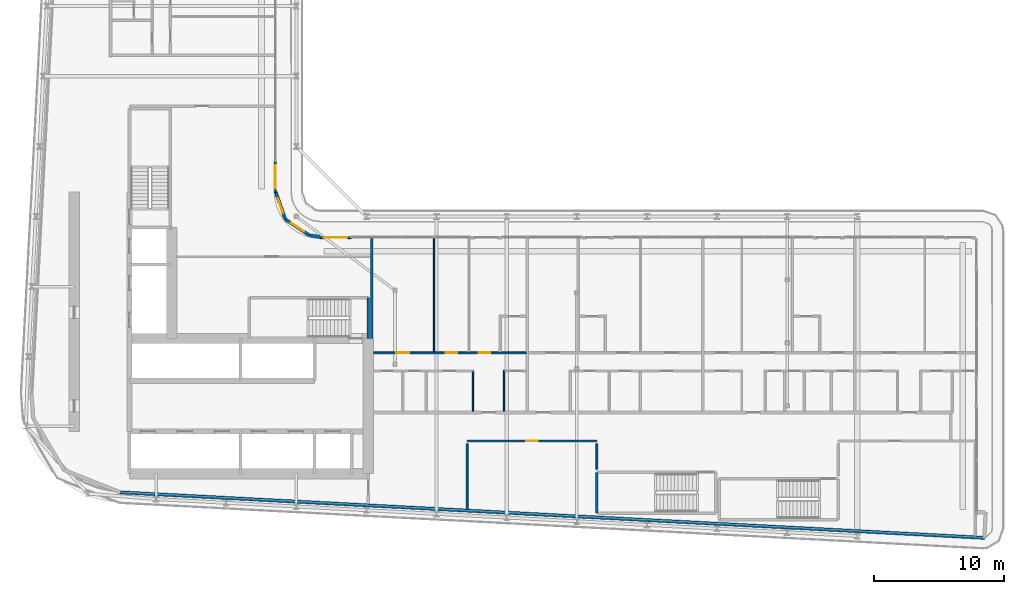
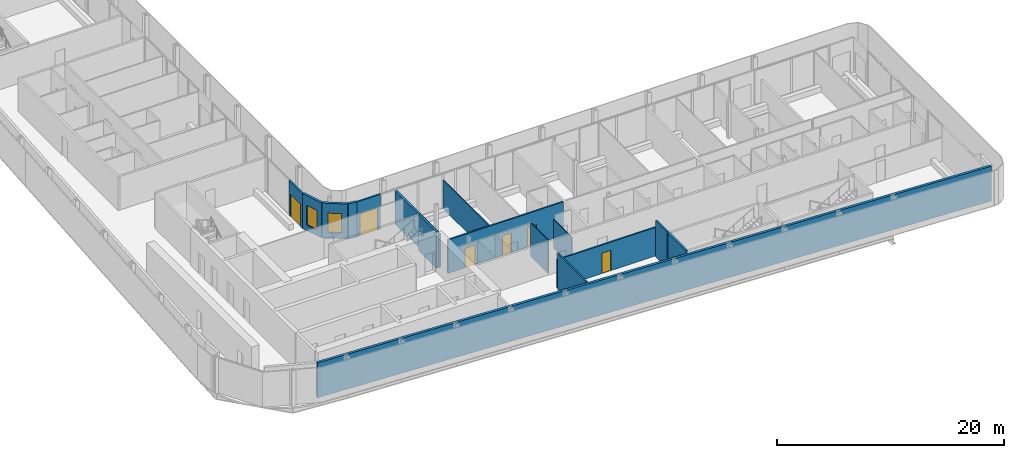
# One storey, part 15 of 28: 16 walls, 6 doors, 2 windows, 8 openings.
"""IFC4 building model written with IfcOpenShell, lengths in metres."""

from ifc_helpers import new_model, si_unit, direction, frame, frame_2d, origin, place, context, subcontext, project, spatial, rectangle, extrude, source, transform, mapped, material, layer, layer_set, type_object, element, fill, save


model = new_model("IFC4")

# Units and contexts
model_context = context("Model", 3, precision=1e-05, world=origin(), true_north=direction((0.0, 1.0)))
body_context = subcontext(model_context, "Body", "Model", "MODEL_VIEW")
ifc_project = project(units=[si_unit("LENGTHUNIT", "METRE"), si_unit("AREAUNIT", "SQUARE_METRE"), si_unit("VOLUMEUNIT", "CUBIC_METRE"), si_unit("PLANEANGLEUNIT", "RADIAN"), si_unit("MASSUNIT", "GRAM", prefix="KILO")], contexts=[model_context])

# Site, building, storey
site_placement = place(None, origin())
site = spatial("IfcSite", under=ifc_project, at=site_placement, CompositionType="ELEMENT")
building_placement = place(site_placement, origin())
building = spatial("IfcBuilding", under=site, at=building_placement, Name="Kheshtan School and Residences Tower", CompositionType="ELEMENT")
storey_placement = place(building_placement, frame((0.0, 0.0, 191.60009765625)))
storey = spatial("IfcBuildingStorey", under=building, at=storey_placement, Name="L45", CompositionType="ELEMENT", Elevation=191.60009765625)

# Wall, opening, window
ifc_material_1 = material(Name="Concrete C40/50 with ceramic cladding and mineral wool insulation", Category="concrete")
ifc_layer_1 = layer(ifc_material_1, 0.25)
ifc_layer_set_1 = layer_set([ifc_layer_1], Name="External wall 250 ceramic clad")
wall_type_1 = type_object("IfcWallType", Name="External wall 250 ceramic clad", PredefinedType="SOLIDWALL", material=ifc_layer_set_1)
wall_1_placement = place(storey_placement, frame((46.01806640625, 47.470947265625, 0.0), z_axis=(0.0, 0.0, 1.0), x_axis=(0.328791208903, -0.944402637093, 0.0)))
wall_1 = element("IfcWall", 1, at=wall_1_placement, inside=storey, type_object=wall_type_1, Name="External wall L45 9", PredefinedType="SOLIDWALL", context=body_context, shape_type="SweptSolid", body=[
    extrude(rectangle(XDim=2.20458984375, YDim=0.25, at=frame_2d((1.102294921875, 0.0))), origin(), (0.0, 0.0, 1.0), 3.75),
])
opening_1_placement = place(wall_1_placement, frame((0.5029296875, 0.0, 0.60009765625)))
opening_1 = element("IfcOpeningElement", 2, at=opening_1_placement, cuts=wall_1, Name="Opening WN-E", PredefinedType="OPENING", context=body_context, shape_type="SweptSolid", body=[
    extrude(rectangle(XDim=1.199951171875, YDim=2.10009765625, at=frame_2d((0.60009765625, 1.050048828125))), frame((0.0, 0.135009765625, 0.0), z_axis=(0.0, -1.0, 0.0), x_axis=(1.0, 0.0, 0.0)), (0.0, 0.0, 1.0), 0.27001953125),
])
ifc_material_2 = material(Name="Clear low-e glass in thermally broken aluminium frame", Category="aluminium")
window_type = type_object("IfcWindowType", Name="Window WN-E", PartitioningType="SINGLE_PANEL", PredefinedType="WINDOW", material=ifc_material_2)
shared_shape_1 = source(origin(), body_context, "Body", "SweptSolid", [
    extrude(rectangle(XDim=1.199951171875, YDim=2.10009765625, at=frame_2d((0.60009765625, 1.050048828125))), frame((0.0, 0.030029296875, 0.0), z_axis=(0.0, -1.0, 0.0), x_axis=(1.0, 0.0, 0.0)), (0.0, 0.0, 1.0), 0.06005859375),
])
window_1_placement = place(opening_1_placement, origin())
window_1 = element("IfcWindow", 3, at=window_1_placement, inside=storey, type_object=window_type, Name="Window L45 9", OverallHeight=2.10009765625, OverallWidth=1.199951171875, PartitioningType="SINGLE_PANEL", PredefinedType="WINDOW", context=body_context, shape_type="MappedRepresentation", body=[
    mapped(shared_shape_1, transform((0.0, 0.0, 0.0), x_axis=(1.0, 0.0, 0.0), y_axis=(0.0, 1.0, 0.0), z_axis=(0.0, 0.0, 1.0), scale=1.0)),
])
fill(opening_1, window_1)

wall_2_placement = place(storey_placement, frame((46.742919921875, 45.388916015625, 0.0), z_axis=(0.0, 0.0, 1.0), x_axis=(0.831449265529, -0.555600682912, 0.0)))
wall_2 = element("IfcWall", 4, at=wall_2_placement, inside=storey, type_object=wall_type_1, Name="External wall L45 10", PredefinedType="SOLIDWALL", context=body_context, shape_type="SweptSolid", body=[
    extrude(rectangle(XDim=2.25146484375, YDim=0.25, at=frame_2d((1.125732421875, 0.0))), origin(), (0.0, 0.0, 1.0), 3.75),
])
opening_2_placement = place(wall_2_placement, frame((0.52490234375, 0.0, 0.60009765625)))
opening_2 = element("IfcOpeningElement", 5, at=opening_2_placement, cuts=wall_2, Name="Opening WN-E", PredefinedType="OPENING", context=body_context, shape_type="SweptSolid", body=[
    extrude(rectangle(XDim=1.199951171875, YDim=2.10009765625, at=frame_2d((0.60009765625, 1.050048828125))), frame((0.0, 0.135009765625, 0.0), z_axis=(0.0, -1.0, 0.0), x_axis=(1.0, 0.0, 0.0)), (0.0, 0.0, 1.0), 0.27001953125),
])
window_2_placement = place(opening_2_placement, origin())
window_2 = element("IfcWindow", 6, at=window_2_placement, inside=storey, type_object=window_type, Name="Window L45 10", OverallHeight=2.10009765625, OverallWidth=1.199951171875, PartitioningType="SINGLE_PANEL", PredefinedType="WINDOW", context=body_context, shape_type="MappedRepresentation", body=[
    mapped(shared_shape_1, transform((0.0, 0.0, 0.0), x_axis=(1.0, 0.0, 0.0), y_axis=(0.0, 1.0, 0.0), z_axis=(0.0, 0.0, 1.0), scale=1.0)),
])
fill(opening_2, window_2)

# Walls
wall_3_placement = place(storey_placement, frame((48.614990234375, 44.137939453125, 0.0), z_axis=(0.0, 0.0, 1.0), x_axis=(0.990741504246, -0.135761819977, 0.0)))
element("IfcWall", 7, at=wall_3_placement, inside=storey, type_object=wall_type_1, Name="External wall L45 11", PredefinedType="SOLIDWALL", context=body_context, shape_type="SweptSolid", body=[
    extrude(rectangle(XDim=0.83984375, YDim=0.25, at=frame_2d((0.419921875, 0.0))), origin(), (0.0, 0.0, 1.0), 3.75),
])
wall_4_placement = place(storey_placement, frame((100.5859375, 20.85009765625, 0.0), z_axis=(0.0, 0.0, 1.0), x_axis=(-0.99861746497, 0.052565755559, 0.0)))
element("IfcWall", 8, at=wall_4_placement, inside=storey, type_object=wall_type_1, Name="External wall L45 16", PredefinedType="SOLIDWALL", context=body_context, shape_type="SweptSolid", body=[
    extrude(rectangle(XDim=66.638916015625, YDim=0.25, at=frame_2d((33.3193359375, 0.0))), origin(), (0.0, 0.0, 1.0), 3.75),
])

# Wall, opening, door
ifc_material_3 = material(Name="Aluminium frame wall with insulated infill", Category="aluminium")
ifc_layer_2 = layer(ifc_material_3, 0.14990234375)
ifc_layer_set_2 = layer_set([ifc_layer_2], Name="Glazing frame wall 150")
wall_type_2 = type_object("IfcWallType", Name="Glazing frame wall 150", PredefinedType="SOLIDWALL", material=ifc_layer_set_2)
wall_5_placement = place(storey_placement, frame((45.97509765625, 49.830078125, 0.0), z_axis=(0.0, 0.0, 1.0), x_axis=(0.0, -1.0, 0.0)))
wall_5 = element("IfcWall", 9, at=wall_5_placement, inside=storey, type_object=wall_type_2, Name="Balcony door wall L45 8.5", PredefinedType="SOLIDWALL", context=body_context, shape_type="SweptSolid", body=[
    extrude(rectangle(XDim=2.400146484375, YDim=0.14990234375, at=frame_2d((1.2001953125, 0.0))), origin(), (0.0, 0.0, 1.0), 3.75),
])
opening_3_placement = place(wall_5_placement, frame((0.300048828125, 0.0, 0.0)))
opening_3 = element("IfcOpeningElement", 10, at=opening_3_placement, cuts=wall_5, Name="Opening BD", PredefinedType="OPENING", context=body_context, shape_type="SweptSolid", body=[
    extrude(rectangle(XDim=1.800048828125, YDim=2.39990234375, at=frame_2d((0.89990234375, 1.199951171875))), frame((0.0, 0.0849609375, 0.0), z_axis=(0.0, -1.0, 0.0), x_axis=(1.0, 0.0, 0.0)), (0.0, 0.0, 1.0), 0.169921875),
])
door_type_1 = type_object("IfcDoorType", Name="Balcony sliding door", OperationType="SLIDING_TO_LEFT", PredefinedType="DOOR", material=ifc_material_2)
shared_shape_2 = source(origin(), body_context, "Body", "SweptSolid", [
    extrude(rectangle(XDim=1.800048828125, YDim=2.39990234375, at=frame_2d((0.89990234375, 1.199951171875))), frame((0.0, 0.02490234375, 0.0), z_axis=(0.0, -1.0, 0.0), x_axis=(1.0, 0.0, 0.0)), (0.0, 0.0, 1.0), 0.050048828125),
])
door_1_placement = place(opening_3_placement, origin())
door_1 = element("IfcDoor", 11, at=door_1_placement, inside=storey, type_object=door_type_1, Name="Balcony door L45 8.5", OperationType="SLIDING_TO_LEFT", OverallHeight=2.39990234375, OverallWidth=1.800048828125, PredefinedType="DOOR", context=body_context, shape_type="MappedRepresentation", body=[
    mapped(shared_shape_2, transform((0.0, 0.0, 0.0), x_axis=(1.0, 0.0, 0.0), y_axis=(0.0, 1.0, 0.0), z_axis=(0.0, 0.0, 1.0), scale=1.0)),
])
fill(opening_3, door_1)

wall_6_placement = place(storey_placement, frame((49.429931640625, 43.97509765625, 0.0), z_axis=(0.0, 0.0, 1.0), x_axis=(1.0, 0.0, 0.0)))
wall_6 = element("IfcWall", 12, at=wall_6_placement, inside=storey, type_object=wall_type_2, Name="Balcony door wall L45 12.1", PredefinedType="SOLIDWALL", context=body_context, shape_type="SweptSolid", body=[
    extrude(rectangle(XDim=2.400146484375, YDim=0.14990234375, at=frame_2d((1.2001953125, 0.0))), origin(), (0.0, 0.0, 1.0), 3.75),
])
opening_4_placement = place(wall_6_placement, frame((0.300048828125, 0.0, 0.0)))
opening_4 = element("IfcOpeningElement", 13, at=opening_4_placement, cuts=wall_6, Name="Opening BD", PredefinedType="OPENING", context=body_context, shape_type="SweptSolid", body=[
    extrude(rectangle(XDim=1.800048828125, YDim=2.39990234375, at=frame_2d((0.89990234375, 1.199951171875))), frame((0.0, 0.0849609375, 0.0), z_axis=(0.0, -1.0, 0.0), x_axis=(1.0, 0.0, 0.0)), (0.0, 0.0, 1.0), 0.169921875),
])
door_2_placement = place(opening_4_placement, origin())
door_2 = element("IfcDoor", 14, at=door_2_placement, inside=storey, type_object=door_type_1, Name="Balcony door L45 12.1", OperationType="SLIDING_TO_LEFT", OverallHeight=2.39990234375, OverallWidth=1.800048828125, PredefinedType="DOOR", context=body_context, shape_type="MappedRepresentation", body=[
    mapped(shared_shape_2, transform((0.0, 0.0, 0.0), x_axis=(1.0, 0.0, 0.0), y_axis=(0.0, 1.0, 0.0), z_axis=(0.0, 0.0, 1.0), scale=1.0)),
])
fill(opening_4, door_2)

# Walls
ifc_material_4 = material(Name="Gypsum board on steel studs", Category="steel")
ifc_layer_3 = layer(ifc_material_4, 0.10009765625)
ifc_layer_set_3 = layer_set([ifc_layer_3], Name="Gypsum partition 100")
wall_type_3 = type_object("IfcWallType", Name="Gypsum partition 100", PredefinedType="PARTITIONING", material=ifc_layer_set_3)
wall_7_placement = place(storey_placement, frame((58.199951171875, 35.175048828125, 0.0), z_axis=(0.0, 0.0, 1.0), x_axis=(0.0, 1.0, 0.0)))
element("IfcWall", 15, at=wall_7_placement, inside=storey, type_object=wall_type_3, Name="Partition L45-040", PredefinedType="PARTITIONING", context=body_context, shape_type="SweptSolid", body=[
    extrude(rectangle(XDim=8.724853515625, YDim=0.10009765625, at=frame_2d((4.3623046875, 0.0))), origin(), (0.0, 0.0, 1.0), 3.072021484375),
])
wall_8_placement = place(storey_placement, frame((61.199951171875, 30.60009765625, 0.0), z_axis=(0.0, 0.0, 1.0), x_axis=(0.0, 1.0, 0.0)))
element("IfcWall", 16, at=wall_8_placement, inside=storey, type_object=wall_type_3, Name="Partition L45-042", PredefinedType="PARTITIONING", context=body_context, shape_type="SweptSolid", body=[
    extrude(rectangle(XDim=3.02490234375, YDim=0.10009765625, at=frame_2d((1.512451171875, 0.0))), origin(), (0.0, 0.0, 1.0), 3.599853515625),
])
wall_9_placement = place(storey_placement, frame((63.60009765625, 30.60009765625, 0.0), z_axis=(0.0, 0.0, 1.0), x_axis=(0.0, 1.0, 0.0)))
element("IfcWall", 17, at=wall_9_placement, inside=storey, type_object=wall_type_3, Name="Partition L45-045", PredefinedType="PARTITIONING", context=body_context, shape_type="SweptSolid", body=[
    extrude(rectangle(XDim=3.14990234375, YDim=0.10009765625, at=frame_2d((1.574951171875, 0.0))), origin(), (0.0, 0.0, 1.0), 3.072021484375),
])

# Wall, opening, door
ifc_material_5 = material(Name="Fire-board shaft wall system")
ifc_layer_4 = layer(ifc_material_5, 0.14990234375)
ifc_layer_set_4 = layer_set([ifc_layer_4], Name="Service room wall 150")
wall_type_4 = type_object("IfcWallType", Name="Service room wall 150", PredefinedType="PARTITIONING", material=ifc_layer_set_4)
wall_10_placement = place(storey_placement, frame((60.75, 28.300048828125, 0.0), z_axis=(0.0, 0.0, 1.0), x_axis=(1.0, 0.0, 0.0)))
wall_10 = element("IfcWall", 18, at=wall_10_placement, inside=storey, type_object=wall_type_4, Name="Service room wall", PredefinedType="PARTITIONING", context=body_context, shape_type="SweptSolid", body=[
    extrude(rectangle(XDim=10.0, YDim=0.14990234375, at=frame_2d((5.0, 0.0))), origin(), (0.0, 0.0, 1.0), 3.072021484375),
])
opening_5_placement = place(wall_10_placement, frame((4.550048828125, 0.0, 0.0)))
opening_5 = element("IfcOpeningElement", 19, at=opening_5_placement, cuts=wall_10, Name="Opening SR90", PredefinedType="OPENING", context=body_context, shape_type="SweptSolid", body=[
    extrude(rectangle(XDim=0.89990234375, YDim=2.199951171875, at=frame_2d((0.449951171875, 1.10009765625))), frame((0.0, 0.0849609375, 0.0), z_axis=(0.0, -1.0, 0.0), x_axis=(1.0, 0.0, 0.0)), (0.0, 0.0, 1.0), 0.169921875),
])
ifc_material_6 = material(Name="Steel door leaf, galvanised", Category="steel")
door_type_2 = type_object("IfcDoorType", Name="Service room door 900 steel 90 min", OperationType="SINGLE_SWING_LEFT", PredefinedType="DOOR", material=ifc_material_6)
shared_shape_3 = source(origin(), body_context, "Body", "SweptSolid", [
    extrude(rectangle(XDim=0.89990234375, YDim=2.199951171875, at=frame_2d((0.449951171875, 1.10009765625))), frame((0.0, 0.02490234375, 0.0), z_axis=(0.0, -1.0, 0.0), x_axis=(1.0, 0.0, 0.0)), (0.0, 0.0, 1.0), 0.050048828125),
])
door_3_placement = place(opening_5_placement, origin())
door_3 = element("IfcDoor", 20, at=door_3_placement, inside=storey, type_object=door_type_2, Name="Service room door", OperationType="SINGLE_SWING_LEFT", OverallHeight=2.199951171875, OverallWidth=0.89990234375, PredefinedType="DOOR", context=body_context, shape_type="MappedRepresentation", body=[
    mapped(shared_shape_3, transform((0.0, 0.0, 0.0), x_axis=(1.0, 0.0, 0.0), y_axis=(0.0, 1.0, 0.0), z_axis=(0.0, 0.0, 1.0), scale=1.0)),
])
fill(opening_5, door_3)

# Walls
wall_11_placement = place(storey_placement, frame((60.75, 23.074951171875, 0.0), z_axis=(0.0, 0.0, 1.0), x_axis=(0.0, 1.0, 0.0)))
element("IfcWall", 21, at=wall_11_placement, inside=storey, type_object=wall_type_4, Name="Service room wall", PredefinedType="PARTITIONING", context=body_context, shape_type="SweptSolid", body=[
    extrude(rectangle(XDim=5.030029296875, YDim=0.14990234375, at=frame_2d((2.51513671875, 0.0))), origin(), (0.0, 0.0, 1.0), 3.89990234375),
])
wall_12_placement = place(storey_placement, frame((70.75, 26.1201171875, 0.0), z_axis=(0.0, 0.0, 1.0), x_axis=(0.0, 1.0, 0.0)))
element("IfcWall", 22, at=wall_12_placement, inside=storey, type_object=wall_type_4, Name="Service room wall", PredefinedType="PARTITIONING", context=body_context, shape_type="SweptSolid", body=[
    extrude(rectangle(XDim=1.98486328125, YDim=0.14990234375, at=frame_2d((0.992431640625, 0.0))), origin(), (0.0, 0.0, 1.0), 3.89990234375),
])
ifc_material_7 = material(Name="Concrete C40/50", Category="concrete")
ifc_layer_5 = layer(ifc_material_7, 0.199951171875)
ifc_layer_set_5 = layer_set([ifc_layer_5], Name="Stair enclosure wall 200 Concrete C40/50")
wall_type_5 = type_object("IfcWallType", Name="Stair enclosure wall 200 Concrete C40/50", PredefinedType="SHEAR", material=ifc_layer_set_5)
wall_13_placement = place(storey_placement, frame((53.14990234375, 36.199951171875, 0.0), z_axis=(0.0, 0.0, 1.0), x_axis=(0.0, 1.0, 0.0)))
element("IfcWall", 23, at=wall_13_placement, inside=storey, type_object=wall_type_5, Name="Stair enclosure wall ST1", PredefinedType="SHEAR", context=body_context, shape_type="SweptSolid", body=[
    extrude(rectangle(XDim=3.150146484375, YDim=0.199951171875, at=frame_2d((1.5751953125, 0.0))), origin(), (0.0, 0.0, 1.0), 3.89990234375),
])
wall_14_placement = place(storey_placement, frame((70.75, 22.75, 0.0), z_axis=(0.0, 0.0, 1.0), x_axis=(0.0, 1.0, 0.0)))
element("IfcWall", 24, at=wall_14_placement, inside=storey, type_object=wall_type_5, Name="Stair enclosure wall ST5", PredefinedType="SHEAR", context=body_context, shape_type="SweptSolid", body=[
    extrude(rectangle(XDim=3.14990234375, YDim=0.199951171875, at=frame_2d((1.574951171875, 0.0))), origin(), (0.0, 0.0, 1.0), 3.89990234375),
])
ifc_material_8 = material(Name="Twin gypsum board on steel studs with mineral wool", Category="steel")
ifc_layer_6 = layer(ifc_material_8, 0.199951171875)
ifc_layer_set_6 = layer_set([ifc_layer_6], Name="Unit demising wall 200")
wall_type_6 = type_object("IfcWallType", Name="Unit demising wall 200", PredefinedType="PARTITIONING", material=ifc_layer_set_6)
wall_15_placement = place(storey_placement, frame((53.39990234375, 36.198974609375, 0.0), z_axis=(0.0, 0.0, 1.0), x_axis=(0.0, 1.0, 0.0)))
element("IfcWall", 25, at=wall_15_placement, inside=storey, type_object=wall_type_6, Name="Partition L45-034", PredefinedType="PARTITIONING", context=body_context, shape_type="SweptSolid", body=[
    extrude(rectangle(XDim=7.700927734375, YDim=0.199951171875, at=frame_2d((3.8505859375, 0.0))), origin(), (0.0, 0.0, 1.0), 3.599853515625),
])

# Wall, openings, doors
ifc_material_9 = material(Name="Moisture-resistant gypsum board on steel studs", Category="steel")
ifc_layer_7 = layer(ifc_material_9, 0.14990234375)
ifc_layer_set_7 = layer_set([ifc_layer_7], Name="Wet-room partition 150")
wall_type_7 = type_object("IfcWallType", Name="Wet-room partition 150", PredefinedType="PARTITIONING", material=ifc_layer_set_7)
wall_16_placement = place(storey_placement, frame((53.549072265625, 35.10009765625, 0.0), z_axis=(0.0, 0.0, 1.0), x_axis=(1.0, 0.0, 0.0)))
wall_16 = element("IfcWall", 26, at=wall_16_placement, inside=storey, type_object=wall_type_7, Name="Partition L45-037", PredefinedType="PARTITIONING", context=body_context, shape_type="SweptSolid", body=[
    extrude(rectangle(XDim=11.7509765625, YDim=0.14990234375, at=frame_2d((5.87548828125, 0.0))), origin(), (0.0, 0.0, 1.0), 3.599853515625),
])
opening_6_placement = place(wall_16_placement, frame((5.551025390625, 0.0, 0.0)))
opening_6 = element("IfcOpeningElement", 27, at=opening_6_placement, cuts=wall_16, Name="Opening D43-002", PredefinedType="OPENING", context=body_context, shape_type="SweptSolid", body=[
    extrude(rectangle(XDim=0.89990234375, YDim=2.10009765625, at=frame_2d((0.449951171875, 1.050048828125))), frame((0.0, 0.0849609375, 0.0), z_axis=(0.0, -1.0, 0.0), x_axis=(1.0, 0.0, 0.0)), (0.0, 0.0, 1.0), 0.169921875),
])
opening_7_placement = place(wall_16_placement, frame((1.7509765625, 0.0, 0.0)))
opening_7 = element("IfcOpeningElement", 28, at=opening_7_placement, cuts=wall_16, Name="Opening D43-006", PredefinedType="OPENING", context=body_context, shape_type="SweptSolid", body=[
    extrude(rectangle(XDim=1.0, YDim=2.10009765625, at=frame_2d((0.5, 1.050048828125))), frame((0.0, 0.0849609375, 0.0), z_axis=(0.0, -1.0, 0.0), x_axis=(1.0, 0.0, 0.0)), (0.0, 0.0, 1.0), 0.169921875),
])
opening_8_placement = place(wall_16_placement, frame((8.10107421875, 0.0, 0.0)))
opening_8 = element("IfcOpeningElement", 29, at=opening_8_placement, cuts=wall_16, Name="Opening D43-007", PredefinedType="OPENING", context=body_context, shape_type="SweptSolid", body=[
    extrude(rectangle(XDim=0.89990234375, YDim=2.10009765625, at=frame_2d((0.449951171875, 1.050048828125))), frame((0.0, 0.0849609375, 0.0), z_axis=(0.0, -1.0, 0.0), x_axis=(1.0, 0.0, 0.0)), (0.0, 0.0, 1.0), 0.169921875),
])
ifc_material_10 = material(Name="Veneered timber door leaf", Category="wood")
door_type_3 = type_object("IfcDoorType", Name="Door 1000 x 2100", OperationType="SINGLE_SWING_LEFT", PredefinedType="DOOR", material=ifc_material_10)
shared_shape_4 = source(origin(), body_context, "Body", "SweptSolid", [
    extrude(rectangle(XDim=1.0, YDim=2.10009765625, at=frame_2d((0.5, 1.050048828125))), frame((0.0, 0.02490234375, 0.0), z_axis=(0.0, -1.0, 0.0), x_axis=(1.0, 0.0, 0.0)), (0.0, 0.0, 1.0), 0.050048828125),
])
door_4_placement = place(opening_7_placement, origin())
door_4 = element("IfcDoor", 30, at=door_4_placement, inside=storey, type_object=door_type_3, Name="Door D43-006", OperationType="SINGLE_SWING_LEFT", OverallHeight=2.10009765625, OverallWidth=1.0, PredefinedType="DOOR", context=body_context, shape_type="MappedRepresentation", body=[
    mapped(shared_shape_4, transform((0.0, 0.0, 0.0), x_axis=(1.0, 0.0, 0.0), y_axis=(0.0, 1.0, 0.0), z_axis=(0.0, 0.0, 1.0), scale=1.0)),
])
fill(opening_7, door_4)
door_type_4 = type_object("IfcDoorType", Name="Door 900 x 2100", OperationType="SINGLE_SWING_LEFT", PredefinedType="DOOR", material=ifc_material_10)
shared_shape_5 = source(origin(), body_context, "Body", "SweptSolid", [
    extrude(rectangle(XDim=0.89990234375, YDim=2.10009765625, at=frame_2d((0.449951171875, 1.050048828125))), frame((0.0, 0.02490234375, 0.0), z_axis=(0.0, -1.0, 0.0), x_axis=(1.0, 0.0, 0.0)), (0.0, 0.0, 1.0), 0.050048828125),
])
door_5_placement = place(opening_6_placement, origin())
door_5 = element("IfcDoor", 31, at=door_5_placement, inside=storey, type_object=door_type_4, Name="Door D43-002", OperationType="SINGLE_SWING_RIGHT", OverallHeight=2.10009765625, OverallWidth=0.89990234375, PredefinedType="DOOR", context=body_context, shape_type="MappedRepresentation", body=[
    mapped(shared_shape_5, transform((0.0, 0.0, 0.0), x_axis=(1.0, 0.0, 0.0), y_axis=(0.0, 1.0, 0.0), z_axis=(0.0, 0.0, 1.0), scale=1.0)),
])
fill(opening_6, door_5)
door_6_placement = place(opening_8_placement, origin())
door_6 = element("IfcDoor", 32, at=door_6_placement, inside=storey, type_object=door_type_4, Name="Door D43-007", OperationType="SINGLE_SWING_RIGHT", OverallHeight=2.10009765625, OverallWidth=0.89990234375, PredefinedType="DOOR", context=body_context, shape_type="MappedRepresentation", body=[
    mapped(shared_shape_5, transform((0.0, 0.0, 0.0), x_axis=(1.0, 0.0, 0.0), y_axis=(0.0, 1.0, 0.0), z_axis=(0.0, 0.0, 1.0), scale=1.0)),
])
fill(opening_8, door_6)

save(model, "model.ifc")
